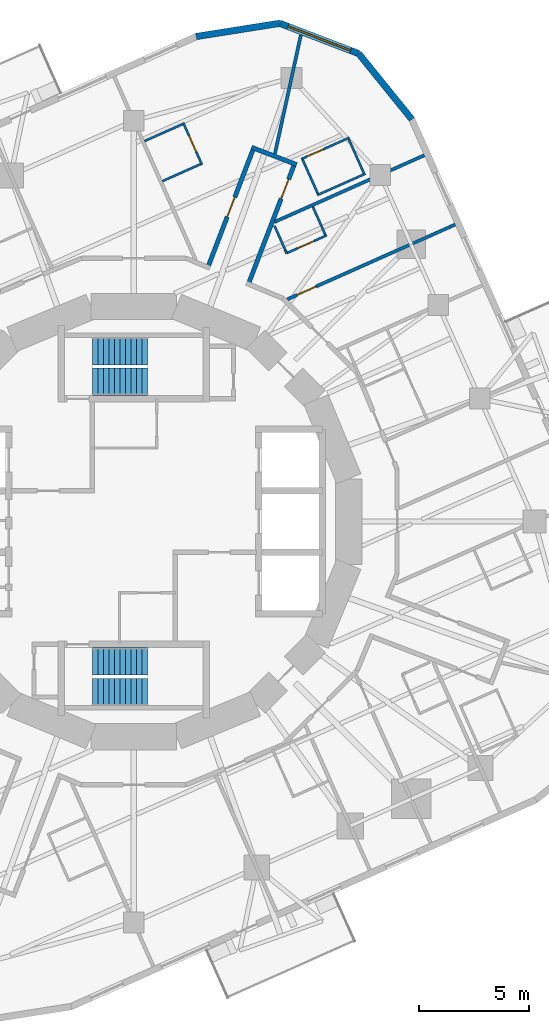
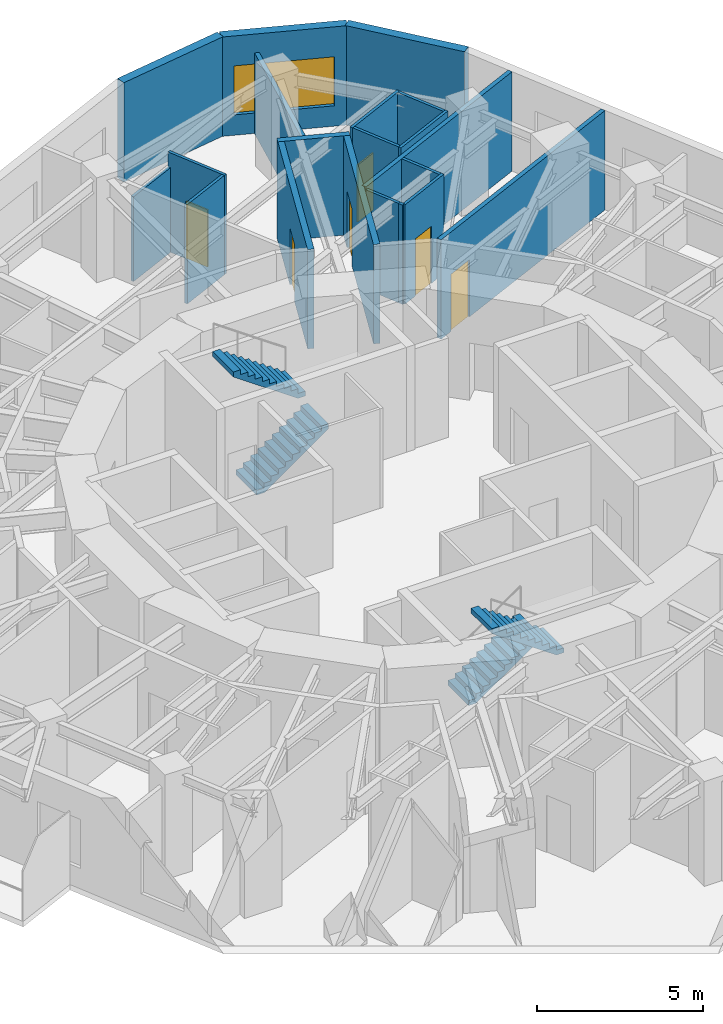
# One storey, part 10 of 12: 20 walls, 6 doors, 4 stair flights, 1 window, 7 openings, 2 elements without a shape of their own.
"""IFC4 building model written with IfcOpenShell, lengths in metres."""

import ifcopenshell
import ifcopenshell.guid

model = None  # the IFC model being written
_history = None  # IfcOwnerHistory: only IFC2X3 demands one
_inside = {}  # id of a spatial element -> (the spatial element, [elements in it])
_under = {}  # id of a project, library or spatial element -> (it, [spatial elements below it])
_declared = {}  # id of a project -> (the project, [libraries it declares])
_typed = {}  # id of a type object -> (the type object, [elements of that type])
_made_of = {}  # id of a material, layer set ... -> (it, [elements and type objects made of it])


def new_model(schema):
    """Start an empty IFC model of exactly this schema.

    Asked for "IFC4X3", IfcOpenShell would pick the latest addendum, in which some entities
    have other attributes; the version numbers below select the first issue.
    IFC2X3 requires an IfcOwnerHistory on every rooted entity: one is made here for all.
    """
    global model, _history
    if schema == "IFC4X3":
        model = ifcopenshell.file(schema_version=(4, 3, 0, 0))
    else:
        model = ifcopenshell.file(schema=schema)
    _inside.clear()
    _under.clear()
    _declared.clear()
    _typed.clear()
    _made_of.clear()
    _history = None
    if model.schema == "IFC2X3":
        org = make("IfcOrganization", Name="unknown")
        user = make(
            "IfcPersonAndOrganization",
            ThePerson=make("IfcPerson", FamilyName="unknown"),
            TheOrganization=org,
        )
        app = make(
            "IfcApplication",
            ApplicationDeveloper=org,
            Version="unknown",
            ApplicationFullName="unknown",
            ApplicationIdentifier="unknown",
        )
        _history = make(
            "IfcOwnerHistory",
            OwningUser=user,
            OwningApplication=app,
            ChangeAction="ADDED",
            CreationDate=0,
        )
    return model


def make(cls, **values):
    """One entity of the class cls with the attributes given. An attribute that is None is left unset."""
    return model.create_entity(
        cls, **{name: value for name, value in values.items() if value is not None}
    )


def rooted(cls, **values):
    """An entity with a GlobalId (a new one), such as an element, a storey or a relation."""
    return make(cls, GlobalId=ifcopenshell.guid.new(), OwnerHistory=_history, **values)


def si_unit(unit_type, name, prefix=None):
    """IfcSIUnit, for example si_unit("LENGTHUNIT", "METRE", prefix="MILLI")."""
    return make("IfcSIUnit", UnitType=unit_type, Prefix=prefix, Name=name)


def assignment(units):
    """IfcUnitAssignment: the units of a project."""
    return None if units is None else make("IfcUnitAssignment", Units=units)


def point(xyz):
    """IfcCartesianPoint."""
    return None if xyz is None else make("IfcCartesianPoint", Coordinates=xyz)


def direction(xyz):
    """IfcDirection."""
    return None if xyz is None else make("IfcDirection", DirectionRatios=xyz)


def frame(location, z_axis=None, x_axis=None):
    """IfcAxis2Placement3D, a coordinate frame: its origin and axes. An axis left out is left unset."""
    return make(
        "IfcAxis2Placement3D",
        Location=point(location),
        Axis=direction(z_axis),
        RefDirection=direction(x_axis),
    )


def frame_2d(location, x_axis=None):
    """IfcAxis2Placement2D, a coordinate frame in the plane: its origin and x axis."""
    return make(
        "IfcAxis2Placement2D", Location=point(location), RefDirection=direction(x_axis)
    )


def origin():
    """The frame at (0, 0, 0) with its axes left unset."""
    return frame((0.0, 0.0, 0.0))


def place(relative_to, where):
    """IfcLocalPlacement: puts the frame where relative to a parent placement (None: the world)."""
    return make(
        "IfcLocalPlacement", PlacementRelTo=relative_to, RelativePlacement=where
    )


def context(
    kind, dimensions, precision=None, world=None, true_north=None, identifier=None
):
    """IfcGeometricRepresentationContext, for example the 3D "Model" context."""
    return make(
        "IfcGeometricRepresentationContext",
        ContextIdentifier=identifier,
        ContextType=kind,
        CoordinateSpaceDimension=dimensions,
        Precision=precision,
        WorldCoordinateSystem=world,
        TrueNorth=true_north,
    )


def subcontext(parent, identifier, kind, view, scale=None):
    """IfcGeometricRepresentationSubContext, for example "Body" below "Model"."""
    return make(
        "IfcGeometricRepresentationSubContext",
        ContextIdentifier=identifier,
        ContextType=kind,
        ParentContext=parent,
        TargetScale=scale,
        TargetView=view,
    )


def project(units=None, contexts=None):
    """IfcProject with its units and contexts."""
    return rooted(
        "IfcProject",
        Name="project",
        RepresentationContexts=contexts,
        UnitsInContext=assignment(units),
    )


def spatial(cls, under=None, at=None, **own):
    """A site, building, storey or space (cls), placed at a placement, below another one or the project."""
    s = rooted(cls, ObjectPlacement=at, **own)
    if under is not None:
        _under.setdefault(under.id(), (under, []))[1].append(s)
    return s


def polyline(points):
    """IfcPolyline through the points."""
    return make("IfcPolyline", Points=[point(p) for p in points])


def profile(cls, at=None, kind="AREA", **sizes):
    """A parametric profile (cls). Its sizes go by their IFC names, for example OverallWidth=200.0."""
    return make(cls, ProfileType=kind, Position=at, **sizes)


def rectangle(**sizes):
    """IfcRectangleProfileDef."""
    return profile("IfcRectangleProfileDef", **sizes)


def outline(outer, holes=None, kind="AREA"):
    """IfcArbitraryClosedProfileDef: a profile drawn as a closed curve; with holes, ...WithVoids."""
    if holes is None:
        return make("IfcArbitraryClosedProfileDef", ProfileType=kind, OuterCurve=outer)
    return make(
        "IfcArbitraryProfileDefWithVoids",
        ProfileType=kind,
        OuterCurve=outer,
        InnerCurves=holes,
    )


def extrude(swept, where, along, depth):
    """IfcExtrudedAreaSolid: the profile swept, set in the frame where, extruded along a direction by depth."""
    return make(
        "IfcExtrudedAreaSolid",
        SweptArea=swept,
        Position=where,
        ExtrudedDirection=direction(along),
        Depth=depth,
    )


def shape(context_of_items, identifier, shape_type, items):
    """IfcShapeRepresentation: the items that make up one representation, for example the "Body"."""
    return make(
        "IfcShapeRepresentation",
        ContextOfItems=context_of_items,
        RepresentationIdentifier=identifier,
        RepresentationType=shape_type,
        Items=items,
    )


def material(Name=None, Category=None):
    """IfcMaterial."""
    return make("IfcMaterial", Name=Name, Category=Category)


def layer(
    of_material, thickness, ventilated=None, Name=None, Category=None, Priority=None
):
    """IfcMaterialLayer: one layer of a wall or slab, of a material (None: an air gap)."""
    return make(
        "IfcMaterialLayer",
        Material=of_material,
        LayerThickness=thickness,
        IsVentilated=ventilated,
        Name=Name,
        Category=Category,
        Priority=Priority,
    )


def layer_set(layers, Name=None):
    """IfcMaterialLayerSet."""
    return make("IfcMaterialLayerSet", MaterialLayers=layers, LayerSetName=Name)


def made_of(thing, what):
    """Note that an element or type object is made of a material, layer set ...; save() writes the relation."""
    if what is not None:
        _made_of.setdefault(what.id(), (what, []))[1].append(thing)
    return thing


def type_object(cls, material=None, **own):
    """A type object (cls), such as IfcWallType, which elements share."""
    return made_of(rooted(cls, **own), material)


def element(
    cls,
    number,
    at=None,
    inside=None,
    cuts=None,
    type_object=None,
    material=None,
    context=None,
    identifier="Body",
    shape_type=None,
    held_by="IfcProductDefinitionShape",
    body=None,
    shapes=None,
    **own,
):
    """One element of the class cls, such as IfcWall. Its Tag is "e" and its number.

    at: its placement. inside: the storey or other place that contains it. cuts: it is an
    opening in that element (IfcRelVoidsElement). A single representation is given by context,
    identifier, shape_type and body (its items); several are given by shapes. held_by: the class
    of the entity that holds the representations. save() writes the other relations.
    """
    e = rooted(cls, Tag="e%d" % number, ObjectPlacement=at, **own)
    if body is not None:
        shapes = [shape(context, identifier, shape_type, body)]
    if shapes is not None:
        e.Representation = make(held_by, Representations=shapes)
    if inside is not None:
        _inside.setdefault(inside.id(), (inside, []))[1].append(e)
    if cuts is not None:
        rooted(
            "IfcRelVoidsElement", RelatingBuildingElement=cuts, RelatedOpeningElement=e
        )
    if type_object is not None:
        _typed.setdefault(type_object.id(), (type_object, []))[1].append(e)
    return made_of(e, material)


def fill(opening, filler):
    """IfcRelFillsElement: the door or window that sits in an opening."""
    return rooted(
        "IfcRelFillsElement",
        RelatingOpeningElement=opening,
        RelatedBuildingElement=filler,
    )


def aggregate(whole, parts):
    """IfcRelAggregates: a whole, such as a stair, and the parts it consists of."""
    return rooted("IfcRelAggregates", RelatingObject=whole, RelatedObjects=parts)


def save(model, path):
    """Write the relations noted so far, then the file.

    IfcRelAggregates (storeys below a building ...), IfcRelContainedInSpatialStructure (elements
    in a storey), IfcRelDefinesByType, IfcRelAssociatesMaterial and IfcRelDeclares: one each for
    every whole, place, type object, material and project.
    """
    for whole, parts in _under.values():
        aggregate(whole, parts)
    for where, things in _inside.values():
        rooted(
            "IfcRelContainedInSpatialStructure",
            RelatedElements=things,
            RelatingStructure=where,
        )
    for kind, things in _typed.values():
        rooted("IfcRelDefinesByType", RelatedObjects=things, RelatingType=kind)
    for what, things in _made_of.values():
        rooted("IfcRelAssociatesMaterial", RelatedObjects=things, RelatingMaterial=what)
    for by, libraries in _declared.values():
        rooted("IfcRelDeclares", RelatingContext=by, RelatedDefinitions=libraries)
    model.write(path)


model = new_model("IFC4")

# Units and contexts
model_context = context("Model", 3, precision=1e-05, world=origin(), true_north=direction((0.0, 1.0)))
body_context = subcontext(model_context, "Body", "Model", "MODEL_VIEW")
ifc_project = project(units=[si_unit("LENGTHUNIT", "METRE"), si_unit("AREAUNIT", "SQUARE_METRE"), si_unit("VOLUMEUNIT", "CUBIC_METRE"), si_unit("PLANEANGLEUNIT", "RADIAN"), si_unit("MASSUNIT", "GRAM", prefix="KILO")], contexts=[model_context])

# Site, building, storey
site_placement = place(None, origin())
site = spatial("IfcSite", under=ifc_project, at=site_placement, CompositionType="ELEMENT")
building_placement = place(site_placement, origin())
building = spatial("IfcBuilding", under=site, at=building_placement, Name="Nakasero Lantern House", CompositionType="ELEMENT")
storey_placement = place(building_placement, frame((0.0, 0.0, 205.550048828125)))
storey = spatial("IfcBuildingStorey", under=building, at=storey_placement, Name="L50", CompositionType="ELEMENT", Elevation=205.550048828125)

# Wall, opening, door
ifc_material_1 = material(Name="Blockwork", Category="masonry")
ifc_layer_1 = layer(ifc_material_1, 0.199951171875)
ifc_layer_set_1 = layer_set([ifc_layer_1], Name="Corridor wall 200")
wall_type_1 = type_object("IfcWallType", Name="Corridor wall 200", PredefinedType="PARTITIONING", material=ifc_layer_set_1)
wall_1_placement = place(storey_placement, frame((5.22900390625, 10.831298828125, 0.0), z_axis=(0.0, 0.0, 1.0), x_axis=(0.358357154711, 0.933584570174, 0.0)))
wall_1 = element("IfcWall", 1, at=wall_1_placement, inside=storey, type_object=wall_type_1, Name="Corridor wall L50 SP0a", PredefinedType="PARTITIONING", context=body_context, shape_type="SweptSolid", body=[
    extrude(rectangle(XDim=5.97216796875, YDim=0.199951171875, at=frame_2d((2.986083984375, 0.0))), origin(), (0.0, 0.0, 1.0), 3.64990234375),
])
opening_1_placement = place(wall_1_placement, frame((4.169921875, 0.0, 0.0)))
opening_1 = element("IfcOpeningElement", 2, at=opening_1_placement, cuts=wall_1, Name="Opening D01", PredefinedType="OPENING", context=body_context, shape_type="SweptSolid", body=[
    extrude(rectangle(XDim=0.949951171875, YDim=2.10009765625, at=frame_2d((0.47509765625, 1.050048828125))), frame((0.0, 0.119873046875, 0.0), z_axis=(0.0, -1.0, 0.0), x_axis=(1.0, 0.0, 0.0)), (0.0, 0.0, 1.0), 0.239990234375),
])
ifc_material_2 = material(Name="Timber C24", Category="wood")
door_type_1 = type_object("IfcDoorType", Name="Bedroom door FD30S 950", OperationType="SINGLE_SWING_LEFT", PredefinedType="DOOR", material=ifc_material_2)
door_1_placement = place(opening_1_placement, origin())
door_1 = element("IfcDoor", 3, at=door_1_placement, inside=storey, type_object=door_type_1, Name="Door L50 D0-06", OperationType="SINGLE_SWING_RIGHT", OverallHeight=2.10009765625, OverallWidth=0.949951171875, PredefinedType="DOOR", context=body_context, shape_type="SweptSolid", body=[
    extrude(rectangle(XDim=0.949951171875, YDim=2.10009765625, at=frame_2d((0.47509765625, 1.050048828125))), frame((0.0, 0.02490234375, 0.0), z_axis=(0.0, -1.0, 0.0), x_axis=(1.0, 0.0, 0.0)), (0.0, 0.0, 1.0), 0.050048828125),
])
fill(opening_1, door_1)

wall_2_placement = place(storey_placement, frame((3.380615234375, 11.596923828125, 0.0), z_axis=(0.0, 0.0, 1.0), x_axis=(0.358362690674, 0.933582445172, 0.0)))
wall_2 = element("IfcWall", 4, at=wall_2_placement, inside=storey, type_object=wall_type_1, Name="Corridor wall L50 SP0b", PredefinedType="PARTITIONING", context=body_context, shape_type="SweptSolid", body=[
    extrude(rectangle(XDim=5.91943359375, YDim=0.199951171875, at=frame_2d((2.959716796875, 0.0))), origin(), (0.0, 0.0, 1.0), 3.64990234375),
])
opening_2_placement = place(wall_2_placement, frame((2.469970703125, 0.0, 0.0)))
opening_2 = element("IfcOpeningElement", 5, at=opening_2_placement, cuts=wall_2, Name="Opening D01", PredefinedType="OPENING", context=body_context, shape_type="SweptSolid", body=[
    extrude(rectangle(XDim=0.949951171875, YDim=2.10009765625, at=frame_2d((0.47509765625, 1.050048828125))), frame((0.0, 0.119873046875, 0.0), z_axis=(0.0, -1.0, 0.0), x_axis=(1.0, 0.0, 0.0)), (0.0, 0.0, 1.0), 0.239990234375),
])
door_2_placement = place(opening_2_placement, origin())
door_2 = element("IfcDoor", 6, at=door_2_placement, inside=storey, type_object=door_type_1, Name="Door L50 D1-00", OperationType="SINGLE_SWING_LEFT", OverallHeight=2.10009765625, OverallWidth=0.949951171875, PredefinedType="DOOR", context=body_context, shape_type="SweptSolid", body=[
    extrude(rectangle(XDim=0.949951171875, YDim=2.10009765625, at=frame_2d((0.47509765625, 1.050048828125))), frame((0.0, 0.02490234375, 0.0), z_axis=(0.0, -1.0, 0.0), x_axis=(1.0, 0.0, 0.0)), (0.0, 0.0, 1.0), 0.050048828125),
])
fill(opening_2, door_2)

# Wall
wall_3_placement = place(storey_placement, frame((7.426513671875, 16.277587890625, 0.0), z_axis=(0.0, 0.0, 1.0), x_axis=(-0.933582812604, 0.358361733464, 0.0)))
element("IfcWall", 7, at=wall_3_placement, inside=storey, type_object=wall_type_1, Name="Corridor wall L50 SP0e", PredefinedType="PARTITIONING", context=body_context, shape_type="SweptSolid", body=[
    extrude(rectangle(XDim=2.19970703125, YDim=0.199951171875, at=frame_2d((1.099853515625, 0.0))), origin(), (0.0, 0.0, 1.0), 3.64990234375),
])

# Wall, opening, door
ifc_material_3 = material(Name="Blockwork", Category="masonry")
ifc_layer_2 = layer(ifc_material_3, 0.10009765625)
ifc_layer_set_2 = layer_set([ifc_layer_2], Name="En-suite wall 100")
wall_type_2 = type_object("IfcWallType", Name="En-suite wall 100", PredefinedType="PARTITIONING", material=ifc_layer_set_2)
wall_4_placement = place(storey_placement, frame((6.974853515625, 12.23974609375, 0.0), z_axis=(0.0, 0.0, 1.0), x_axis=(0.913549606868, 0.406727323635, 0.0)))
wall_4 = element("IfcWall", 8, at=wall_4_placement, inside=storey, type_object=wall_type_2, Name="En-suite wall L50 ES0-05", PredefinedType="PARTITIONING", context=body_context, shape_type="SweptSolid", body=[
    extrude(rectangle(XDim=2.0, YDim=0.10009765625, at=frame_2d((1.0, 0.0))), origin(), (0.0, 0.0, 1.0), 3.64990234375),
])
opening_3_placement = place(wall_4_placement, frame((0.550048828125, 0.0, 0.0)))
opening_3 = element("IfcOpeningElement", 9, at=opening_3_placement, cuts=wall_4, Name="Opening D02", PredefinedType="OPENING", context=body_context, shape_type="SweptSolid", body=[
    extrude(rectangle(XDim=0.800048828125, YDim=2.10009765625, at=frame_2d((0.39990234375, 1.050048828125))), frame((0.0, 0.070068359375, 0.0), z_axis=(0.0, -1.0, 0.0), x_axis=(1.0, 0.0, 0.0)), (0.0, 0.0, 1.0), 0.14013671875),
])
ifc_material_4 = material(Name="Timber C24", Category="wood")
door_type_2 = type_object("IfcDoorType", Name="En-suite door 800", OperationType="SINGLE_SWING_RIGHT", PredefinedType="DOOR", material=ifc_material_4)
door_3_placement = place(opening_3_placement, origin())
door_3 = element("IfcDoor", 10, at=door_3_placement, inside=storey, type_object=door_type_2, Name="Door L50 DE0-05", OperationType="SINGLE_SWING_LEFT", OverallHeight=2.10009765625, OverallWidth=0.800048828125, PredefinedType="DOOR", context=body_context, shape_type="SweptSolid", body=[
    extrude(rectangle(XDim=0.800048828125, YDim=2.10009765625, at=frame_2d((0.39990234375, 1.050048828125))), frame((0.0, 0.02490234375, 0.0), z_axis=(0.0, -1.0, 0.0), x_axis=(1.0, 0.0, 0.0)), (0.0, 0.0, 1.0), 0.050048828125),
])
fill(opening_3, door_3)

# Wall
wall_5_placement = place(storey_placement, frame((8.736083984375, 13.07861328125, 0.0), z_axis=(0.0, 0.0, 1.0), x_axis=(-0.406801678348, 0.9135164993, 0.0)))
element("IfcWall", 11, at=wall_5_placement, inside=storey, type_object=wall_type_2, Name="En-suite wall L50 EE0-05", PredefinedType="PARTITIONING", context=body_context, shape_type="SweptSolid", body=[
    extrude(rectangle(XDim=1.400146484375, YDim=0.10009765625, at=frame_2d((0.7001953125, 0.0))), origin(), (0.0, 0.0, 1.0), 3.64990234375),
])

# Wall, opening, door
wall_6_placement = place(storey_placement, frame((7.63720703125, 16.530029296875, 0.0), z_axis=(0.0, 0.0, 1.0), x_axis=(0.913513461389, 0.406808500233, 0.0)))
wall_6 = element("IfcWall", 12, at=wall_6_placement, inside=storey, type_object=wall_type_2, Name="En-suite wall L50 ES0-06", PredefinedType="PARTITIONING", context=body_context, shape_type="SweptSolid", body=[
    extrude(rectangle(XDim=2.39990234375, YDim=0.10009765625, at=frame_2d((1.199951171875, 0.0))), origin(), (0.0, 0.0, 1.0), 3.64990234375),
])
opening_4_placement = place(wall_6_placement, frame((0.300048828125, 0.0, 0.0)))
opening_4 = element("IfcOpeningElement", 13, at=opening_4_placement, cuts=wall_6, Name="Opening D02", PredefinedType="OPENING", context=body_context, shape_type="SweptSolid", body=[
    extrude(rectangle(XDim=0.800048828125, YDim=2.10009765625, at=frame_2d((0.39990234375, 1.050048828125))), frame((0.0, 0.070068359375, 0.0), z_axis=(0.0, -1.0, 0.0), x_axis=(1.0, 0.0, 0.0)), (0.0, 0.0, 1.0), 0.14013671875),
])
door_4_placement = place(opening_4_placement, origin())
door_4 = element("IfcDoor", 14, at=door_4_placement, inside=storey, type_object=door_type_2, Name="Door L50 DE0-06", OperationType="SINGLE_SWING_LEFT", OverallHeight=2.10009765625, OverallWidth=0.800048828125, PredefinedType="DOOR", context=body_context, shape_type="SweptSolid", body=[
    extrude(rectangle(XDim=0.800048828125, YDim=2.10009765625, at=frame_2d((0.39990234375, 1.050048828125))), frame((0.0, 0.02490234375, 0.0), z_axis=(0.0, -1.0, 0.0), x_axis=(1.0, 0.0, 0.0)), (0.0, 0.0, 1.0), 0.050048828125),
])
fill(opening_4, door_4)

# Walls
wall_7_placement = place(storey_placement, frame((8.369384765625, 14.8857421875, 0.0), z_axis=(0.0, 0.0, 1.0), x_axis=(0.913551263516, 0.406723602621, 0.0)))
element("IfcWall", 15, at=wall_7_placement, inside=storey, type_object=wall_type_2, Name="En-suite wall L50 EV0-06", PredefinedType="PARTITIONING", context=body_context, shape_type="SweptSolid", body=[
    extrude(rectangle(XDim=2.39990234375, YDim=0.10009765625, at=frame_2d((1.199951171875, 0.0))), origin(), (0.0, 0.0, 1.0), 3.64990234375),
])
for number, where, z_axis, x_axis, name in (
    (16, (10.495849609375, 15.88720703125, 0.0), (0.0, 0.0, 1.0), (-0.406724697108, 0.913550776237, 0.0), "En-suite wall L50 EE0-06"),
    (17, (8.39453125, 14.95166015625, 0.0), (0.0, 0.0, 1.0), (-0.406724697108, 0.913550776237, 0.0), "En-suite wall L50 EI0-06"),
):
    element("IfcWall", number, at=place(storey_placement, frame(where, z_axis=z_axis, x_axis=x_axis)), inside=storey, type_object=wall_type_2, Name=name, PredefinedType="PARTITIONING", context=body_context, shape_type="SweptSolid", body=[
        extrude(rectangle(XDim=1.699951171875, YDim=0.10009765625, at=frame_2d((0.85009765625, 0.0))), origin(), (0.0, 0.0, 1.0), 3.64990234375),
    ])

# Wall, opening, door
wall_8_placement = place(storey_placement, frame((3.11083984375, 16.27197265625, 0.0), z_axis=(0.0, 0.0, 1.0), x_axis=(-0.406774771494, 0.913528480824, 0.0)))
wall_8 = element("IfcWall", 18, at=wall_8_placement, inside=storey, type_object=wall_type_2, Name="En-suite wall L50 ES1-00", PredefinedType="PARTITIONING", context=body_context, shape_type="SweptSolid", body=[
    extrude(rectangle(XDim=2.10009765625, YDim=0.10009765625, at=frame_2d((1.050048828125, 0.0))), origin(), (0.0, 0.0, 1.0), 3.64990234375),
])
opening_5_placement = place(wall_8_placement, frame((0.64990234375, 0.0, 0.0)))
opening_5 = element("IfcOpeningElement", 19, at=opening_5_placement, cuts=wall_8, Name="Opening D02", PredefinedType="OPENING", context=body_context, shape_type="SweptSolid", body=[
    extrude(rectangle(XDim=0.800048828125, YDim=2.10009765625, at=frame_2d((0.39990234375, 1.050048828125))), frame((0.0, 0.070068359375, 0.0), z_axis=(0.0, -1.0, 0.0), x_axis=(1.0, 0.0, 0.0)), (0.0, 0.0, 1.0), 0.14013671875),
])
door_5_placement = place(opening_5_placement, origin())
door_5 = element("IfcDoor", 20, at=door_5_placement, inside=storey, type_object=door_type_2, Name="Door L50 DE1-00", OperationType="SINGLE_SWING_RIGHT", OverallHeight=2.10009765625, OverallWidth=0.800048828125, PredefinedType="DOOR", context=body_context, shape_type="SweptSolid", body=[
    extrude(rectangle(XDim=0.800048828125, YDim=2.10009765625, at=frame_2d((0.39990234375, 1.050048828125))), frame((0.0, 0.02490234375, 0.0), z_axis=(0.0, -1.0, 0.0), x_axis=(1.0, 0.0, 0.0)), (0.0, 0.0, 1.0), 0.050048828125),
])
fill(opening_5, door_5)

# Walls
wall_9_placement = place(storey_placement, frame((2.2314453125, 18.12451171875, 0.0), z_axis=(0.0, 0.0, 1.0), x_axis=(-0.913572953725, -0.406674880245, 0.0)))
element("IfcWall", 21, at=wall_9_placement, inside=storey, type_object=wall_type_2, Name="En-suite wall L50 EE1-00", PredefinedType="PARTITIONING", context=body_context, shape_type="SweptSolid", body=[
    extrude(rectangle(XDim=1.900146484375, YDim=0.10009765625, at=frame_2d((0.9501953125, 0.0))), origin(), (0.0, 0.0, 1.0), 3.11328125),
])
wall_10_placement = place(storey_placement, frame((3.044677734375, 16.29736328125, 0.0), z_axis=(0.0, 0.0, 1.0), x_axis=(-0.913551699523, -0.406722623293, 0.0)))
element("IfcWall", 22, at=wall_10_placement, inside=storey, type_object=wall_type_2, Name="En-suite wall L50 EI1-00", PredefinedType="PARTITIONING", context=body_context, shape_type="SweptSolid", body=[
    extrude(rectangle(XDim=1.89990234375, YDim=0.10009765625, at=frame_2d((0.949951171875, 0.0))), origin(), (0.0, 0.0, 1.0), 3.64990234375),
])
wall_11_placement = place(storey_placement, frame((6.419677734375, 13.48681640625, 0.0), z_axis=(0.0, 0.0, 1.0), x_axis=(0.406815070933, -0.913510535277, 0.0)))
element("IfcWall", 23, at=wall_11_placement, inside=storey, type_object=wall_type_2, Name="En-suite wall L50 EX000", PredefinedType="PARTITIONING", context=body_context, shape_type="SweptSolid", body=[
    extrude(rectangle(XDim=1.205078125, YDim=0.10009765625, at=frame_2d((0.6025390625, 0.0))), origin(), (0.0, 0.0, 1.0), 3.64990234375),
])
wall_12_placement = place(storey_placement, frame((6.974853515625, 12.23974609375, 0.0), z_axis=(0.0, 0.0, 1.0), x_axis=(-0.405855313637, 0.913937341612, 0.0)))
element("IfcWall", 24, at=wall_12_placement, inside=storey, type_object=wall_type_2, Name="En-suite wall L50 ES0-05R0", PredefinedType="PARTITIONING", context=body_context, shape_type="SweptSolid", body=[
    extrude(rectangle(XDim=0.159912109375, YDim=0.10009765625, at=frame_2d((0.080078125, 0.0))), origin(), (0.0, 0.0, 1.0), 3.64990234375),
])
ifc_material_5 = material(Name="Aluminium rainscreen on blockwork", Category="masonry")
ifc_layer_3 = layer(ifc_material_5, 0.300048828125)
ifc_layer_set_3 = layer_set([ifc_layer_3], Name="Facade wall 300")
wall_type_3 = type_object("IfcWallType", Name="Facade wall 300", PredefinedType="SOLIDWALL", material=ifc_layer_set_3)
wall_13_placement = place(storey_placement, frame((12.684814453125, 18.345458984375, 0.0), z_axis=(0.0, 0.0, 1.0), x_axis=(-0.629285642335, 0.777174099125, 0.0)))
element("IfcWall", 25, at=wall_13_placement, inside=storey, type_object=wall_type_3, Name="Facade wall L50 FW0C1", PredefinedType="SOLIDWALL", context=body_context, shape_type="SweptSolid", body=[
    extrude(rectangle(XDim=3.8564453125, YDim=0.300048828125, at=frame_2d((1.92822265625, 0.0))), origin(), (0.0, 0.0, 1.0), 3.64990234375),
])

# Wall, opening, window
wall_14_placement = place(storey_placement, frame((10.258056640625, 21.342529296875, 0.0), z_axis=(0.0, 0.0, 1.0), x_axis=(-0.933598278948, 0.358321438858, 0.0)))
wall_14 = element("IfcWall", 26, at=wall_14_placement, inside=storey, type_object=wall_type_3, Name="Facade wall L50 FW0C2", PredefinedType="SOLIDWALL", context=body_context, shape_type="SweptSolid", body=[
    extrude(rectangle(XDim=3.8564453125, YDim=0.300048828125, at=frame_2d((1.92822265625, 0.0))), origin(), (0.0, 0.0, 1.0), 3.64990234375),
])
opening_6_placement = place(wall_14_placement, frame((0.39990234375, 0.0, 0.75)))
opening_6 = element("IfcOpeningElement", 27, at=opening_6_placement, cuts=wall_14, Name="Opening W230", PredefinedType="OPENING", context=body_context, shape_type="SweptSolid", body=[
    extrude(rectangle(XDim=3.055908203125, YDim=1.800048828125, at=frame_2d((1.52783203125, 0.89990234375))), frame((0.0, 0.169921875, 0.0), z_axis=(0.0, -1.0, 0.0), x_axis=(1.0, 0.0, 0.0)), (0.0, 0.0, 1.0), 0.340087890625),
])
ifc_material_6 = material(Name="Aluminium 6063-T6 and glass", Category="aluminium")
window_type = type_object("IfcWindowType", Name="Corner window 3056x1800", PartitioningType="SINGLE_PANEL", PredefinedType="WINDOW", material=ifc_material_6)
window_placement = place(opening_6_placement, origin())
window = element("IfcWindow", 28, at=window_placement, inside=storey, type_object=window_type, Name="Window L50 WC0", OverallHeight=1.800048828125, OverallWidth=3.055908203125, PartitioningType="SINGLE_PANEL", PredefinedType="WINDOW", context=body_context, shape_type="SweptSolid", body=[
    extrude(rectangle(XDim=3.055908203125, YDim=1.800048828125, at=frame_2d((1.52783203125, 0.89990234375))), frame((0.0, 0.030029296875, 0.0), z_axis=(0.0, -1.0, 0.0), x_axis=(1.0, 0.0, 0.0)), (0.0, 0.0, 1.0), 0.06005859375),
])
fill(opening_6, window)

# Wall
wall_15_placement = place(storey_placement, frame((6.65771484375, 22.724365234375, 0.0), z_axis=(0.0, 0.0, 1.0), x_axis=(-0.987687906802, -0.156437203878, 0.0)))
element("IfcWall", 29, at=wall_15_placement, inside=storey, type_object=wall_type_3, Name="Facade wall L50 FW0C3", PredefinedType="SOLIDWALL", context=body_context, shape_type="SweptSolid", body=[
    extrude(rectangle(XDim=3.856201171875, YDim=0.300048828125, at=frame_2d((1.92822265625, 0.0))), origin(), (0.0, 0.0, 1.0), 3.64990234375),
])

# Wall, opening, door
ifc_material_7 = material(Name="Blockwork", Category="masonry")
ifc_layer_4 = layer(ifc_material_7, 0.14990234375)
ifc_layer_set_4 = layer_set([ifc_layer_4], Name="Party wall 150")
wall_type_4 = type_object("IfcWallType", Name="Party wall 150", PredefinedType="PARTITIONING", material=ifc_layer_set_4)
wall_16_placement = place(storey_placement, frame((6.99267578125, 10.130615234375, 0.0), z_axis=(0.0, 0.0, 1.0), x_axis=(0.913547411288, 0.406732255089, 0.0)))
wall_16 = element("IfcWall", 30, at=wall_16_placement, inside=storey, type_object=wall_type_4, Name="Party wall L50 PW0-05", PredefinedType="PARTITIONING", context=body_context, shape_type="SweptSolid", body=[
    extrude(rectangle(XDim=8.3916015625, YDim=0.14990234375, at=frame_2d((4.19580078125, 0.0))), origin(), (0.0, 0.0, 1.0), 3.64990234375),
])
opening_7_placement = place(wall_16_placement, frame((0.5, 0.0, 0.0)))
opening_7 = element("IfcOpeningElement", 31, at=opening_7_placement, cuts=wall_16, Name="Opening D01", PredefinedType="OPENING", context=body_context, shape_type="SweptSolid", body=[
    extrude(rectangle(XDim=0.949951171875, YDim=2.10009765625, at=frame_2d((0.47509765625, 1.050048828125))), frame((0.0, 0.094970703125, 0.0), z_axis=(0.0, -1.0, 0.0), x_axis=(1.0, 0.0, 0.0)), (0.0, 0.0, 1.0), 0.18994140625),
])
door_6_placement = place(opening_7_placement, origin())
door_6 = element("IfcDoor", 32, at=door_6_placement, inside=storey, type_object=door_type_1, Name="Door L50 DS0-05", OperationType="SINGLE_SWING_LEFT", OverallHeight=2.10009765625, OverallWidth=0.949951171875, PredefinedType="DOOR", context=body_context, shape_type="SweptSolid", body=[
    extrude(rectangle(XDim=0.949951171875, YDim=2.10009765625, at=frame_2d((0.47509765625, 1.050048828125))), frame((0.0, 0.02490234375, 0.0), z_axis=(0.0, -1.0, 0.0), x_axis=(1.0, 0.0, 0.0)), (0.0, 0.0, 1.0), 0.050048828125),
])
fill(opening_7, door_6)

# Walls
wall_17_placement = place(storey_placement, frame((6.423095703125, 13.663330078125, 0.0), z_axis=(0.0, 0.0, 1.0), x_axis=(0.913546019887, 0.406735380252, 0.0)))
element("IfcWall", 33, at=wall_17_placement, inside=storey, type_object=wall_type_4, Name="Party wall L50 PW0-06", PredefinedType="PARTITIONING", context=body_context, shape_type="SweptSolid", body=[
    extrude(rectangle(XDim=7.474853515625, YDim=0.14990234375, at=frame_2d((3.7373046875, 0.0))), origin(), (0.0, 0.0, 1.0), 3.64990234375),
])
wall_18_placement = place(storey_placement, frame((6.435546875, 16.76513671875, 0.0), z_axis=(0.0, 0.0, 1.0), x_axis=(0.213734913997, 0.976891696422, 0.0)))
element("IfcWall", 34, at=wall_18_placement, inside=storey, type_object=wall_type_4, Name="Party wall L50 PW1-00", PredefinedType="PARTITIONING", context=body_context, shape_type="SweptSolid", body=[
    extrude(rectangle(XDim=5.55126953125, YDim=0.14990234375, at=frame_2d((2.775634765625, 0.0))), origin(), (0.0, 0.0, 1.0), 2.966552734375),
])

# Stair, stair flights
ifc_material_8 = material(Name="Concrete C40/50", Category="concrete")
stair_type_1 = type_object("IfcStairType", Name="Escape stair ST1 22 risers", PredefinedType="HALF_TURN_STAIR", material=ifc_material_8)
stair_1_placement = place(storey_placement, origin())
stair_1 = element("IfcStair", 35, at=stair_1_placement, inside=storey, type_object=stair_type_1, Name="Escape stair ST1 L50", PredefinedType="HALF_TURN_STAIR")
ifc_material_9 = material(Name="Concrete C40/50", Category="concrete")
stair_flight_type = type_object("IfcStairFlightType", Name="Escape stair flight", PredefinedType="STRAIGHT", material=ifc_material_9)
stair_flight_1_placement = place(storey_placement, frame((-1.875, 6.375, 0.0), z_axis=(0.0, 0.0, 1.0), x_axis=(1.0, 0.0, 0.0)))
stair_flight_1 = element("IfcStairFlight", 36, at=stair_flight_1_placement, type_object=stair_flight_type, Name="ST1 flight 1", NumberOfRisers=11, NumberOfTreads=10, PredefinedType="STRAIGHT", RiserHeight=0.175, TreadLength=0.25, context=body_context, shape_type="SweptSolid", body=[
    extrude(outline(polyline([(0.0, 0.0), (0.0, 0.175048828125), (0.25, 0.175048828125), (0.25, 0.35009765625), (0.5, 0.35009765625), (0.5, 0.52490234375), (0.75, 0.52490234375), (0.75, 0.699951171875), (1.0, 0.699951171875), (1.0, 0.875), (1.25, 0.875), (1.25, 1.050048828125), (1.5, 1.050048828125), (1.5, 1.22509765625), (1.75, 1.22509765625), (1.75, 1.39990234375), (2.0, 1.39990234375), (2.0, 1.574951171875), (2.25, 1.574951171875), (2.25, 1.75), (2.5, 1.75), (2.5, 1.925048828125), (2.5, 1.567138671875), (0.261474609375, 0.0), (0.0, 0.0)])), frame((0.0, 0.625, 0.0), z_axis=(0.0, -1.0, 0.0), x_axis=(1.0, 0.0, 0.0)), (0.0, 0.0, 1.0), 1.25),
])
stair_flight_2_placement = place(storey_placement, frame((0.625, 7.77490234375, 1.925048828125), z_axis=(0.0, 0.0, 1.0), x_axis=(-1.0, 0.0, 0.0)))
stair_flight_2 = element("IfcStairFlight", 37, at=stair_flight_2_placement, type_object=stair_flight_type, Name="ST1 flight 2", NumberOfRisers=11, NumberOfTreads=10, PredefinedType="STRAIGHT", RiserHeight=0.175, TreadLength=0.25, context=body_context, shape_type="SweptSolid", body=[
    extrude(outline(polyline([(0.0, 0.0), (0.0, 0.175048828125), (0.25, 0.175048828125), (0.25, 0.35009765625), (0.5, 0.35009765625), (0.5, 0.52490234375), (0.75, 0.52490234375), (0.75, 0.699951171875), (1.0, 0.699951171875), (1.0, 0.875), (1.25, 0.875), (1.25, 1.050048828125), (1.5, 1.050048828125), (1.5, 1.22509765625), (1.75, 1.22509765625), (1.75, 1.39990234375), (2.0, 1.39990234375), (2.0, 1.574951171875), (2.25, 1.574951171875), (2.25, 1.75), (2.5, 1.75), (2.5, 1.925048828125), (2.5, 1.567138671875), (0.261474609375, 0.0), (0.0, 0.0)])), frame((0.0, 0.625, 0.0), z_axis=(0.0, -1.0, 0.0), x_axis=(1.0, 0.0, 0.0)), (0.0, 0.0, 1.0), 1.25),
])
aggregate(stair_1, [stair_flight_1, stair_flight_2])

ifc_material_10 = material(Name="Concrete C40/50", Category="concrete")
stair_type_2 = type_object("IfcStairType", Name="Escape stair ST2 22 risers", PredefinedType="HALF_TURN_STAIR", material=ifc_material_10)
stair_2_placement = place(storey_placement, origin())
stair_2 = element("IfcStair", 38, at=stair_2_placement, inside=storey, type_object=stair_type_2, Name="Escape stair ST2 L50", PredefinedType="HALF_TURN_STAIR")
stair_flight_3_placement = place(storey_placement, frame((-1.875, -6.375, 0.0), z_axis=(0.0, 0.0, 1.0), x_axis=(1.0, 0.0, 0.0)))
stair_flight_3 = element("IfcStairFlight", 39, at=stair_flight_3_placement, type_object=stair_flight_type, Name="ST2 flight 1", NumberOfRisers=11, NumberOfTreads=10, PredefinedType="STRAIGHT", RiserHeight=0.175, TreadLength=0.25, context=body_context, shape_type="SweptSolid", body=[
    extrude(outline(polyline([(0.0, 0.0), (0.0, 0.175048828125), (0.25, 0.175048828125), (0.25, 0.35009765625), (0.5, 0.35009765625), (0.5, 0.52490234375), (0.75, 0.52490234375), (0.75, 0.699951171875), (1.0, 0.699951171875), (1.0, 0.875), (1.25, 0.875), (1.25, 1.050048828125), (1.5, 1.050048828125), (1.5, 1.22509765625), (1.75, 1.22509765625), (1.75, 1.39990234375), (2.0, 1.39990234375), (2.0, 1.574951171875), (2.25, 1.574951171875), (2.25, 1.75), (2.5, 1.75), (2.5, 1.925048828125), (2.5, 1.567138671875), (0.261474609375, 0.0), (0.0, 0.0)])), frame((0.0, 0.625, 0.0), z_axis=(0.0, -1.0, 0.0), x_axis=(1.0, 0.0, 0.0)), (0.0, 0.0, 1.0), 1.25),
])
stair_flight_4_placement = place(storey_placement, frame((0.625, -7.77490234375, 1.925048828125), z_axis=(0.0, 0.0, 1.0), x_axis=(-1.0, 0.0, 0.0)))
stair_flight_4 = element("IfcStairFlight", 40, at=stair_flight_4_placement, type_object=stair_flight_type, Name="ST2 flight 2", NumberOfRisers=11, NumberOfTreads=10, PredefinedType="STRAIGHT", RiserHeight=0.175, TreadLength=0.25, context=body_context, shape_type="SweptSolid", body=[
    extrude(outline(polyline([(0.0, 0.0), (0.0, 0.175048828125), (0.25, 0.175048828125), (0.25, 0.35009765625), (0.5, 0.35009765625), (0.5, 0.52490234375), (0.75, 0.52490234375), (0.75, 0.699951171875), (1.0, 0.699951171875), (1.0, 0.875), (1.25, 0.875), (1.25, 1.050048828125), (1.5, 1.050048828125), (1.5, 1.22509765625), (1.75, 1.22509765625), (1.75, 1.39990234375), (2.0, 1.39990234375), (2.0, 1.574951171875), (2.25, 1.574951171875), (2.25, 1.75), (2.5, 1.75), (2.5, 1.925048828125), (2.5, 1.567138671875), (0.261474609375, 0.0), (0.0, 0.0)])), frame((0.0, 0.625, 0.0), z_axis=(0.0, -1.0, 0.0), x_axis=(1.0, 0.0, 0.0)), (0.0, 0.0, 1.0), 1.25),
])
aggregate(stair_2, [stair_flight_3, stair_flight_4])

save(model, "model.ifc")
